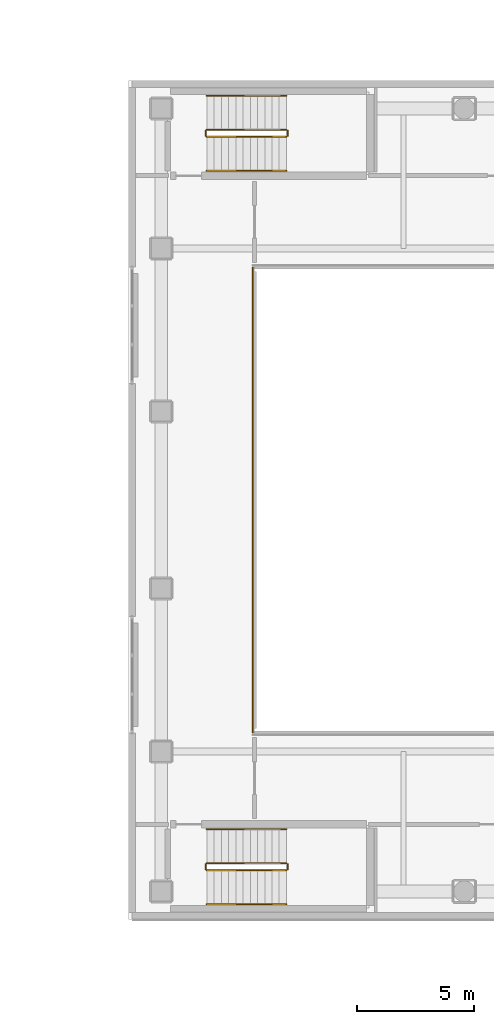
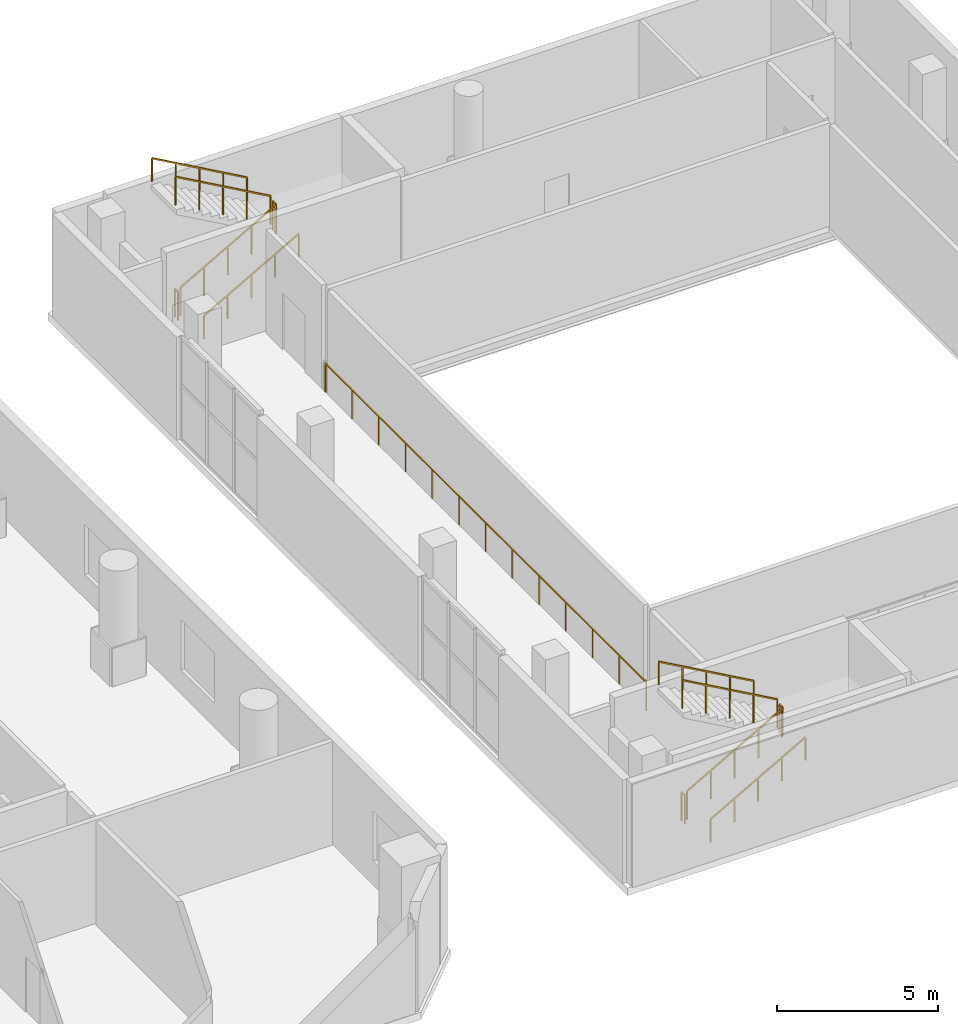
# One storey, part 19 of 20: 13 railings.
"""IFC4 building model written with IfcOpenShell, lengths in metres."""

from ifc_helpers import new_model, si_unit, direction, frame, origin, origin_2d, place, context, subcontext, project, spatial, rectangle, extrude, material, type_object, element, save


model = new_model("IFC4")

# Units and contexts
model_context = context("Model", 3, precision=1e-05, world=origin(), true_north=direction((0.0, 1.0)))
body_context = subcontext(model_context, "Body", "Model", "MODEL_VIEW")
ifc_project = project(units=[si_unit("LENGTHUNIT", "METRE"), si_unit("AREAUNIT", "SQUARE_METRE"), si_unit("VOLUMEUNIT", "CUBIC_METRE"), si_unit("PLANEANGLEUNIT", "RADIAN"), si_unit("MASSUNIT", "GRAM", prefix="KILO")], contexts=[model_context])

# Site, building, storey
site_placement = place(None, origin())
site = spatial("IfcSite", under=ifc_project, at=site_placement, CompositionType="ELEMENT")
building_placement = place(site_placement, origin())
building = spatial("IfcBuilding", under=site, at=building_placement, Name="Solanera Arch Residences", CompositionType="ELEMENT")
storey_placement = place(building_placement, frame((0.0, 0.0, 9.39990234375)))
storey = spatial("IfcBuildingStorey", under=building, at=storey_placement, Name="L02", CompositionType="ELEMENT", Elevation=9.39990234375)

# Railings
ifc_material_1 = material(Name="Steel S355 (ASTM A992 / A572 Grade 50)", Category="steel")
railing_type_1 = type_object("IfcRailingType", Name="Balustrade Railing BL-1100", PredefinedType="BALUSTRADE", material=ifc_material_1)
railing_1_placement = place(storey_placement, frame((59.719970703125, 40.56005859375, 0.0)))
element("IfcRailing", 1, at=railing_1_placement, inside=storey, type_object=railing_type_1, Name="L02 Sports Hall Court Void Guardrail W 1", PredefinedType="BALUSTRADE", context=body_context, shape_type="SweptSolid", body=[
    extrude(rectangle(XDim=0.048095703125, YDim=0.048095703125, at=origin_2d()), frame((0.0, 0.0, 1.09619140625), z_axis=(0.0, -1.0, 0.0), x_axis=(1.0, 0.0, 0.0)), (0.0, 0.0, 1.0), 19.920166015625),
    extrude(rectangle(XDim=0.0419921875, YDim=0.0419921875, at=origin_2d()), origin(), (0.0, 0.0, 1.0), 1.072021484375),
    extrude(rectangle(XDim=0.0419921875, YDim=0.0419921875, at=origin_2d()), frame((0.0, -1.659912109375, 0.0)), (0.0, 0.0, 1.0), 1.072021484375),
    extrude(rectangle(XDim=0.0419921875, YDim=0.0419921875, at=origin_2d()), frame((0.0, -3.320068359375, 0.0)), (0.0, 0.0, 1.0), 1.072021484375),
    extrude(rectangle(XDim=0.0419921875, YDim=0.0419921875, at=origin_2d()), frame((0.0, -4.97998046875, 0.0)), (0.0, 0.0, 1.0), 1.072021484375),
    extrude(rectangle(XDim=0.0419921875, YDim=0.0419921875, at=origin_2d()), frame((0.0, -6.64013671875, 0.0)), (0.0, 0.0, 1.0), 1.072021484375),
    extrude(rectangle(XDim=0.0419921875, YDim=0.0419921875, at=origin_2d()), frame((0.0, -8.300048828125, 0.0)), (0.0, 0.0, 1.0), 1.072021484375),
    extrude(rectangle(XDim=0.0419921875, YDim=0.0419921875, at=origin_2d()), frame((0.0, -9.9599609375, 0.0)), (0.0, 0.0, 1.0), 1.072021484375),
    extrude(rectangle(XDim=0.0419921875, YDim=0.0419921875, at=origin_2d()), frame((0.0, -11.6201171875, 0.0)), (0.0, 0.0, 1.0), 1.072021484375),
    extrude(rectangle(XDim=0.0419921875, YDim=0.0419921875, at=origin_2d()), frame((0.0, -13.280029296875, 0.0)), (0.0, 0.0, 1.0), 1.072021484375),
    extrude(rectangle(XDim=0.0419921875, YDim=0.0419921875, at=origin_2d()), frame((0.0, -14.940185546875, 0.0)), (0.0, 0.0, 1.0), 1.072021484375),
    extrude(rectangle(XDim=0.0419921875, YDim=0.0419921875, at=origin_2d()), frame((0.0, -16.60009765625, 0.0)), (0.0, 0.0, 1.0), 1.072021484375),
    extrude(rectangle(XDim=0.0419921875, YDim=0.0419921875, at=origin_2d()), frame((0.0, -18.26025390625, 0.0)), (0.0, 0.0, 1.0), 1.072021484375),
    extrude(rectangle(XDim=0.0419921875, YDim=0.0419921875, at=origin_2d()), frame((0.0, -19.920166015625, 0.0)), (0.0, 0.0, 1.0), 1.072021484375),
])
ifc_material_2 = material(Name="Steel S355 (ASTM A992 / A572 Grade 50)", Category="steel")
railing_type_2 = type_object("IfcRailingType", Name="Stair Guardrail GR-1100", PredefinedType="GUARDRAIL", material=ifc_material_2)
railing_2_placement = place(storey_placement, frame((57.760009765625, 14.7099609375, 0.16015625)))
element("IfcRailing", 2, at=railing_2_placement, inside=storey, type_object=railing_type_2, Name="L02 ST-H1 stair guard 1", PredefinedType="GUARDRAIL", context=body_context, shape_type="SweptSolid", body=[
    extrude(rectangle(XDim=0.048095703125, YDim=0.048095703125, at=origin_2d()), frame((0.0, 0.0, 1.076171875), z_axis=(0.87081354652, 0.0, 0.491613432685), x_axis=(0.0, 1.0, 0.0)), (0.0, 0.0, 1.0), 3.915771484375),
    extrude(rectangle(XDim=0.0419921875, YDim=0.0419921875, at=origin_2d()), origin(), (0.0, 0.0, 1.0), 1.052001953125),
    extrude(rectangle(XDim=0.0419921875, YDim=0.0419921875, at=origin_2d()), frame((0.8525390625, 0.0, 0.481201171875)), (0.0, 0.0, 1.0), 1.052001953125),
    extrude(rectangle(XDim=0.0419921875, YDim=0.0419921875, at=origin_2d()), frame((1.705078125, 0.0, 0.96240234375)), (0.0, 0.0, 1.0), 1.052001953125),
    extrude(rectangle(XDim=0.0419921875, YDim=0.0419921875, at=origin_2d()), frame((2.557373046875, 0.0, 1.44384765625)), (0.0, 0.0, 1.0), 1.052001953125),
    extrude(rectangle(XDim=0.0419921875, YDim=0.0419921875, at=origin_2d()), frame((3.409912109375, 0.0, 1.925048828125)), (0.0, 0.0, 1.0), 1.052001953125),
])
railing_3_placement = place(storey_placement, frame((61.219970703125, 14.760009765625, 2.085205078125)))
element("IfcRailing", 3, at=railing_3_placement, inside=storey, type_object=railing_type_2, Name="L02 ST-H1 stair guard 2", PredefinedType="GUARDRAIL", context=body_context, shape_type="SweptSolid", body=[
    extrude(rectangle(XDim=0.048095703125, YDim=0.048095703125, at=origin_2d()), frame((0.0, 0.0, 1.076171875), z_axis=(0.0, 1.0, 0.0), x_axis=(-1.0, 0.0, 0.0)), (0.0, 0.0, 1.0), 0.199951171875),
    extrude(rectangle(XDim=0.0419921875, YDim=0.0419921875, at=origin_2d()), origin(), (0.0, 0.0, 1.0), 1.052001953125),
    extrude(rectangle(XDim=0.0419921875, YDim=0.0419921875, at=origin_2d()), frame((0.0, 0.199951171875, 0.0)), (0.0, 0.0, 1.0), 1.052001953125),
])
railing_4_placement = place(storey_placement, frame((61.169921875, 15.010009765625, 2.260009765625)))
element("IfcRailing", 4, at=railing_4_placement, inside=storey, type_object=railing_type_2, Name="L02 ST-H1 stair guard 3", PredefinedType="GUARDRAIL", context=body_context, shape_type="SweptSolid", body=[
    extrude(rectangle(XDim=0.048095703125, YDim=0.048095703125, at=origin_2d()), frame((0.0, 0.0, 1.076171875), z_axis=(-0.87081354652, 0.0, 0.491613432685), x_axis=(0.0, -1.0, 0.0)), (0.0, 0.0, 1.0), 3.915771484375),
    extrude(rectangle(XDim=0.0419921875, YDim=0.0419921875, at=origin_2d()), origin(), (0.0, 0.0, 1.0), 1.052001953125),
    extrude(rectangle(XDim=0.0419921875, YDim=0.0419921875, at=origin_2d()), frame((-0.8525390625, 0.0, 0.481201171875)), (0.0, 0.0, 1.0), 1.052001953125),
    extrude(rectangle(XDim=0.0419921875, YDim=0.0419921875, at=origin_2d()), frame((-1.705078125, 0.0, 0.96240234375)), (0.0, 0.0, 1.0), 1.052001953125),
    extrude(rectangle(XDim=0.0419921875, YDim=0.0419921875, at=origin_2d()), frame((-2.557373046875, 0.0, 1.44384765625)), (0.0, 0.0, 1.0), 1.052001953125),
    extrude(rectangle(XDim=0.0419921875, YDim=0.0419921875, at=origin_2d()), frame((-3.409912109375, 0.0, 1.925048828125)), (0.0, 0.0, 1.0), 1.052001953125),
])
railing_5_placement = place(storey_placement, frame((57.7099609375, 14.760009765625, -0.014892578125)))
element("IfcRailing", 5, at=railing_5_placement, inside=storey, type_object=railing_type_2, Name="L02 ST-H1 stair guard 4", PredefinedType="GUARDRAIL", context=body_context, shape_type="SweptSolid", body=[
    extrude(rectangle(XDim=0.048095703125, YDim=0.048095703125, at=origin_2d()), frame((0.0, 0.0, 1.076171875), z_axis=(0.0, 1.0, 0.0), x_axis=(-1.0, 0.0, 0.0)), (0.0, 0.0, 1.0), 0.199951171875),
    extrude(rectangle(XDim=0.0419921875, YDim=0.0419921875, at=origin_2d()), origin(), (0.0, 0.0, 1.0), 1.052001953125),
    extrude(rectangle(XDim=0.0419921875, YDim=0.0419921875, at=origin_2d()), frame((0.0, 0.199951171875, 0.0)), (0.0, 0.0, 1.0), 1.052001953125),
])
railing_6_placement = place(storey_placement, frame((57.760009765625, 46.18994140625, 0.16015625)))
element("IfcRailing", 6, at=railing_6_placement, inside=storey, type_object=railing_type_2, Name="L02 ST-H2 stair guard 1", PredefinedType="GUARDRAIL", context=body_context, shape_type="SweptSolid", body=[
    extrude(rectangle(XDim=0.048095703125, YDim=0.048095703125, at=origin_2d()), frame((0.0, 0.0, 1.076171875), z_axis=(0.87081354652, 0.0, 0.491613432685), x_axis=(0.0, 1.0, 0.0)), (0.0, 0.0, 1.0), 3.915771484375),
    extrude(rectangle(XDim=0.0419921875, YDim=0.0419921875, at=origin_2d()), origin(), (0.0, 0.0, 1.0), 1.052001953125),
    extrude(rectangle(XDim=0.0419921875, YDim=0.0419921875, at=origin_2d()), frame((0.8525390625, 0.0, 0.481201171875)), (0.0, 0.0, 1.0), 1.052001953125),
    extrude(rectangle(XDim=0.0419921875, YDim=0.0419921875, at=origin_2d()), frame((1.705078125, 0.0, 0.96240234375)), (0.0, 0.0, 1.0), 1.052001953125),
    extrude(rectangle(XDim=0.0419921875, YDim=0.0419921875, at=origin_2d()), frame((2.557373046875, 0.0, 1.44384765625)), (0.0, 0.0, 1.0), 1.052001953125),
    extrude(rectangle(XDim=0.0419921875, YDim=0.0419921875, at=origin_2d()), frame((3.409912109375, 0.0, 1.925048828125)), (0.0, 0.0, 1.0), 1.052001953125),
])
railing_7_placement = place(storey_placement, frame((61.219970703125, 46.239990234375, 2.085205078125)))
element("IfcRailing", 7, at=railing_7_placement, inside=storey, type_object=railing_type_2, Name="L02 ST-H2 stair guard 2", PredefinedType="GUARDRAIL", context=body_context, shape_type="SweptSolid", body=[
    extrude(rectangle(XDim=0.048095703125, YDim=0.048095703125, at=origin_2d()), frame((0.0, 0.0, 1.076171875), z_axis=(0.0, 1.0, 0.0), x_axis=(-1.0, 0.0, 0.0)), (0.0, 0.0, 1.0), 0.199951171875),
    extrude(rectangle(XDim=0.0419921875, YDim=0.0419921875, at=origin_2d()), origin(), (0.0, 0.0, 1.0), 1.052001953125),
    extrude(rectangle(XDim=0.0419921875, YDim=0.0419921875, at=origin_2d()), frame((0.0, 0.199951171875, 0.0)), (0.0, 0.0, 1.0), 1.052001953125),
])
railing_8_placement = place(storey_placement, frame((61.169921875, 46.489990234375, 2.260009765625)))
element("IfcRailing", 8, at=railing_8_placement, inside=storey, type_object=railing_type_2, Name="L02 ST-H2 stair guard 3", PredefinedType="GUARDRAIL", context=body_context, shape_type="SweptSolid", body=[
    extrude(rectangle(XDim=0.048095703125, YDim=0.048095703125, at=origin_2d()), frame((0.0, 0.0, 1.076171875), z_axis=(-0.87081354652, 0.0, 0.491613432685), x_axis=(0.0, -1.0, 0.0)), (0.0, 0.0, 1.0), 3.915771484375),
    extrude(rectangle(XDim=0.0419921875, YDim=0.0419921875, at=origin_2d()), origin(), (0.0, 0.0, 1.0), 1.052001953125),
    extrude(rectangle(XDim=0.0419921875, YDim=0.0419921875, at=origin_2d()), frame((-0.8525390625, 0.0, 0.481201171875)), (0.0, 0.0, 1.0), 1.052001953125),
    extrude(rectangle(XDim=0.0419921875, YDim=0.0419921875, at=origin_2d()), frame((-1.705078125, 0.0, 0.96240234375)), (0.0, 0.0, 1.0), 1.052001953125),
    extrude(rectangle(XDim=0.0419921875, YDim=0.0419921875, at=origin_2d()), frame((-2.557373046875, 0.0, 1.44384765625)), (0.0, 0.0, 1.0), 1.052001953125),
    extrude(rectangle(XDim=0.0419921875, YDim=0.0419921875, at=origin_2d()), frame((-3.409912109375, 0.0, 1.925048828125)), (0.0, 0.0, 1.0), 1.052001953125),
])
railing_9_placement = place(storey_placement, frame((57.7099609375, 46.239990234375, -0.014892578125)))
element("IfcRailing", 9, at=railing_9_placement, inside=storey, type_object=railing_type_2, Name="L02 ST-H2 stair guard 4", PredefinedType="GUARDRAIL", context=body_context, shape_type="SweptSolid", body=[
    extrude(rectangle(XDim=0.048095703125, YDim=0.048095703125, at=origin_2d()), frame((0.0, 0.0, 1.076171875), z_axis=(0.0, 1.0, 0.0), x_axis=(-1.0, 0.0, 0.0)), (0.0, 0.0, 1.0), 0.199951171875),
    extrude(rectangle(XDim=0.0419921875, YDim=0.0419921875, at=origin_2d()), origin(), (0.0, 0.0, 1.0), 1.052001953125),
    extrude(rectangle(XDim=0.0419921875, YDim=0.0419921875, at=origin_2d()), frame((0.0, 0.199951171875, 0.0)), (0.0, 0.0, 1.0), 1.052001953125),
])
ifc_material_3 = material(Name="Steel S355 (ASTM A992 / A572 Grade 50)", Category="steel")
railing_type_3 = type_object("IfcRailingType", Name="Stair Wall Handrail HR-920", PredefinedType="HANDRAIL", material=ifc_material_3)
railing_10_placement = place(storey_placement, frame((57.760009765625, 13.25, 0.175048828125)))
element("IfcRailing", 10, at=railing_10_placement, inside=storey, type_object=railing_type_3, Name="L02 ST-H1 stair handrail 1", PredefinedType="HANDRAIL", context=body_context, shape_type="SweptSolid", body=[
    extrude(rectangle(XDim=0.048095703125, YDim=0.048095703125, at=origin_2d()), frame((0.0, 0.0, 0.8759765625), z_axis=(0.87081354652, 0.0, 0.491613432685), x_axis=(0.0, 1.0, 0.0)), (0.0, 0.0, 1.0), 3.915771484375),
    extrude(rectangle(XDim=0.0419921875, YDim=0.0419921875, at=origin_2d()), origin(), (0.0, 0.0, 1.0), 0.851806640625),
    extrude(rectangle(XDim=0.0419921875, YDim=0.0419921875, at=origin_2d()), frame((0.8525390625, 0.0, 0.481201171875)), (0.0, 0.0, 1.0), 0.851806640625),
    extrude(rectangle(XDim=0.0419921875, YDim=0.0419921875, at=origin_2d()), frame((1.705078125, 0.0, 0.96240234375)), (0.0, 0.0, 1.0), 0.851806640625),
    extrude(rectangle(XDim=0.0419921875, YDim=0.0419921875, at=origin_2d()), frame((2.557373046875, 0.0, 1.44384765625)), (0.0, 0.0, 1.0), 0.851806640625),
    extrude(rectangle(XDim=0.0419921875, YDim=0.0419921875, at=origin_2d()), frame((3.409912109375, 0.0, 1.925048828125)), (0.0, 0.0, 1.0), 0.851806640625),
])
railing_11_placement = place(storey_placement, frame((61.169921875, 16.469970703125, 2.275146484375)))
element("IfcRailing", 11, at=railing_11_placement, inside=storey, type_object=railing_type_3, Name="L02 ST-H1 stair handrail 2", PredefinedType="HANDRAIL", context=body_context, shape_type="SweptSolid", body=[
    extrude(rectangle(XDim=0.048095703125, YDim=0.048095703125, at=origin_2d()), frame((0.0, 0.0, 0.8759765625), z_axis=(-0.87081354652, 0.0, 0.491613432685), x_axis=(0.0, -1.0, 0.0)), (0.0, 0.0, 1.0), 3.915771484375),
    extrude(rectangle(XDim=0.0419921875, YDim=0.0419921875, at=origin_2d()), origin(), (0.0, 0.0, 1.0), 0.851806640625),
    extrude(rectangle(XDim=0.0419921875, YDim=0.0419921875, at=origin_2d()), frame((-0.8525390625, 0.0, 0.481201171875)), (0.0, 0.0, 1.0), 0.851806640625),
    extrude(rectangle(XDim=0.0419921875, YDim=0.0419921875, at=origin_2d()), frame((-1.705078125, 0.0, 0.96240234375)), (0.0, 0.0, 1.0), 0.851806640625),
    extrude(rectangle(XDim=0.0419921875, YDim=0.0419921875, at=origin_2d()), frame((-2.557373046875, 0.0, 1.44384765625)), (0.0, 0.0, 1.0), 0.851806640625),
    extrude(rectangle(XDim=0.0419921875, YDim=0.0419921875, at=origin_2d()), frame((-3.409912109375, 0.0, 1.925048828125)), (0.0, 0.0, 1.0), 0.851806640625),
])
railing_12_placement = place(storey_placement, frame((57.760009765625, 44.72998046875, 0.175048828125)))
element("IfcRailing", 12, at=railing_12_placement, inside=storey, type_object=railing_type_3, Name="L02 ST-H2 stair handrail 1", PredefinedType="HANDRAIL", context=body_context, shape_type="SweptSolid", body=[
    extrude(rectangle(XDim=0.048095703125, YDim=0.048095703125, at=origin_2d()), frame((0.0, 0.0, 0.8759765625), z_axis=(0.87081354652, 0.0, 0.491613432685), x_axis=(0.0, 1.0, 0.0)), (0.0, 0.0, 1.0), 3.915771484375),
    extrude(rectangle(XDim=0.0419921875, YDim=0.0419921875, at=origin_2d()), origin(), (0.0, 0.0, 1.0), 0.851806640625),
    extrude(rectangle(XDim=0.0419921875, YDim=0.0419921875, at=origin_2d()), frame((0.8525390625, 0.0, 0.481201171875)), (0.0, 0.0, 1.0), 0.851806640625),
    extrude(rectangle(XDim=0.0419921875, YDim=0.0419921875, at=origin_2d()), frame((1.705078125, 0.0, 0.96240234375)), (0.0, 0.0, 1.0), 0.851806640625),
    extrude(rectangle(XDim=0.0419921875, YDim=0.0419921875, at=origin_2d()), frame((2.557373046875, 0.0, 1.44384765625)), (0.0, 0.0, 1.0), 0.851806640625),
    extrude(rectangle(XDim=0.0419921875, YDim=0.0419921875, at=origin_2d()), frame((3.409912109375, 0.0, 1.925048828125)), (0.0, 0.0, 1.0), 0.851806640625),
])
railing_13_placement = place(storey_placement, frame((61.169921875, 47.949951171875, 2.275146484375)))
element("IfcRailing", 13, at=railing_13_placement, inside=storey, type_object=railing_type_3, Name="L02 ST-H2 stair handrail 2", PredefinedType="HANDRAIL", context=body_context, shape_type="SweptSolid", body=[
    extrude(rectangle(XDim=0.048095703125, YDim=0.048095703125, at=origin_2d()), frame((0.0, 0.0, 0.8759765625), z_axis=(-0.87081354652, 0.0, 0.491613432685), x_axis=(0.0, -1.0, 0.0)), (0.0, 0.0, 1.0), 3.915771484375),
    extrude(rectangle(XDim=0.0419921875, YDim=0.0419921875, at=origin_2d()), origin(), (0.0, 0.0, 1.0), 0.851806640625),
    extrude(rectangle(XDim=0.0419921875, YDim=0.0419921875, at=origin_2d()), frame((-0.8525390625, 0.0, 0.481201171875)), (0.0, 0.0, 1.0), 0.851806640625),
    extrude(rectangle(XDim=0.0419921875, YDim=0.0419921875, at=origin_2d()), frame((-1.705078125, 0.0, 0.96240234375)), (0.0, 0.0, 1.0), 0.851806640625),
    extrude(rectangle(XDim=0.0419921875, YDim=0.0419921875, at=origin_2d()), frame((-2.557373046875, 0.0, 1.44384765625)), (0.0, 0.0, 1.0), 0.851806640625),
    extrude(rectangle(XDim=0.0419921875, YDim=0.0419921875, at=origin_2d()), frame((-3.409912109375, 0.0, 1.925048828125)), (0.0, 0.0, 1.0), 0.851806640625),
])

save(model, "model.ifc")
